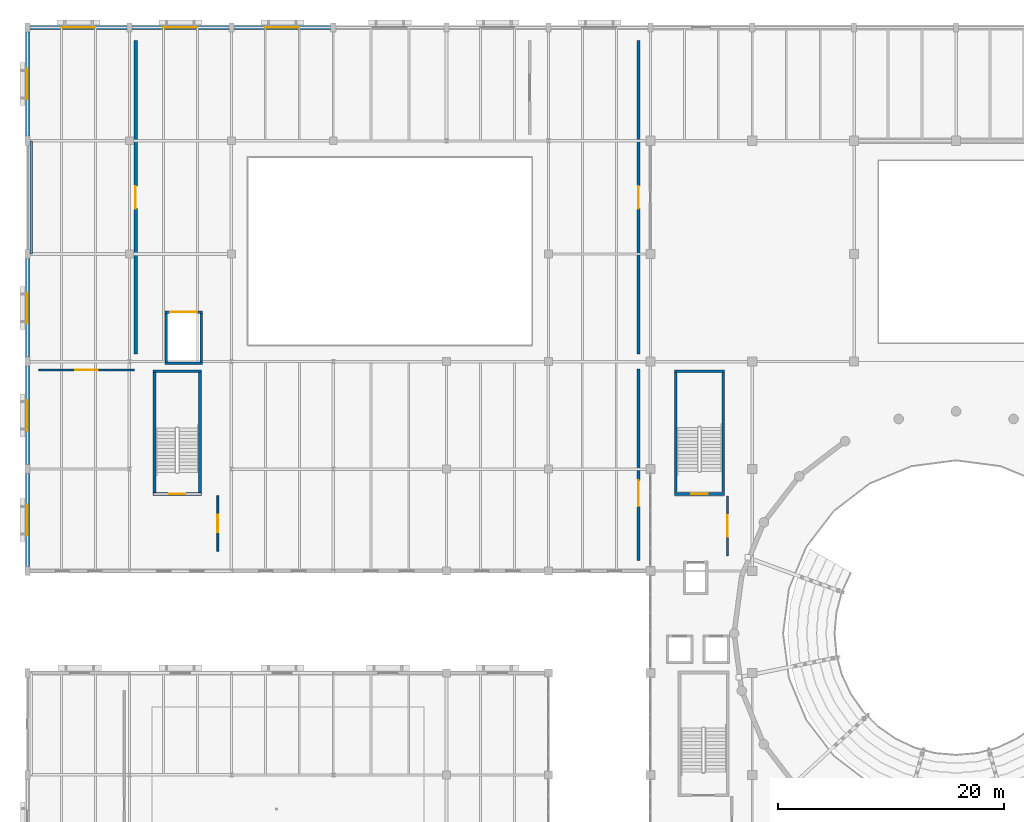
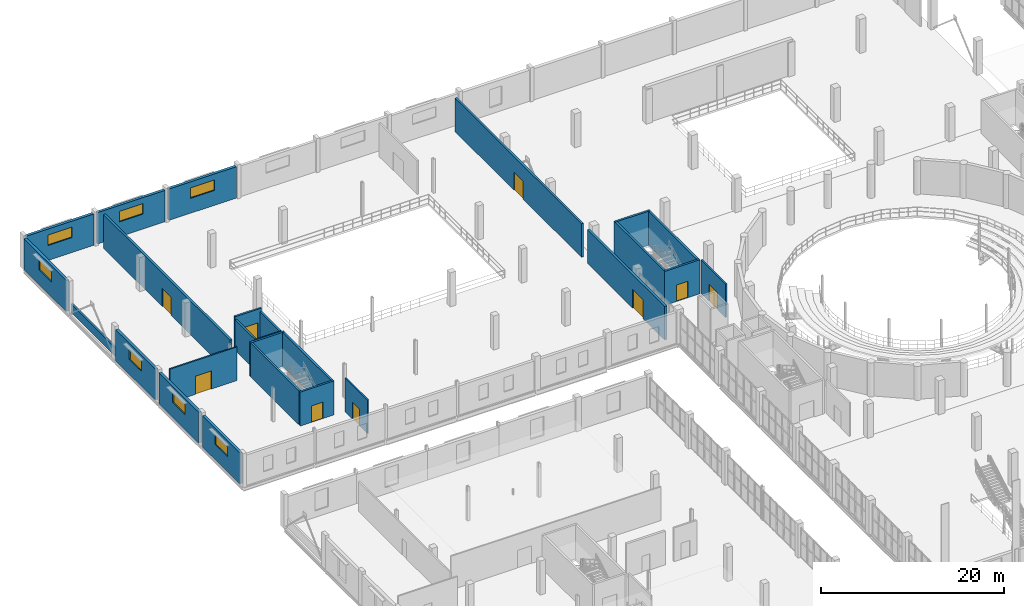
# One storey, part 73 of 93: 26 walls, 9 doors, 7 windows, 16 openings.
"""IFC4 building model written with IfcOpenShell, lengths in metres."""

import ifcopenshell
import ifcopenshell.guid

model = None  # the IFC model being written
_history = None  # IfcOwnerHistory: only IFC2X3 demands one
_inside = {}  # id of a spatial element -> (the spatial element, [elements in it])
_under = {}  # id of a project, library or spatial element -> (it, [spatial elements below it])
_declared = {}  # id of a project -> (the project, [libraries it declares])
_typed = {}  # id of a type object -> (the type object, [elements of that type])
_made_of = {}  # id of a material, layer set ... -> (it, [elements and type objects made of it])


def new_model(schema):
    """Start an empty IFC model of exactly this schema.

    Asked for "IFC4X3", IfcOpenShell would pick the latest addendum, in which some entities
    have other attributes; the version numbers below select the first issue.
    IFC2X3 requires an IfcOwnerHistory on every rooted entity: one is made here for all.
    """
    global model, _history
    if schema == "IFC4X3":
        model = ifcopenshell.file(schema_version=(4, 3, 0, 0))
    else:
        model = ifcopenshell.file(schema=schema)
    _inside.clear()
    _under.clear()
    _declared.clear()
    _typed.clear()
    _made_of.clear()
    _history = None
    if model.schema == "IFC2X3":
        org = make("IfcOrganization", Name="unknown")
        user = make(
            "IfcPersonAndOrganization",
            ThePerson=make("IfcPerson", FamilyName="unknown"),
            TheOrganization=org,
        )
        app = make(
            "IfcApplication",
            ApplicationDeveloper=org,
            Version="unknown",
            ApplicationFullName="unknown",
            ApplicationIdentifier="unknown",
        )
        _history = make(
            "IfcOwnerHistory",
            OwningUser=user,
            OwningApplication=app,
            ChangeAction="ADDED",
            CreationDate=0,
        )
    return model


def make(cls, **values):
    """One entity of the class cls with the attributes given. An attribute that is None is left unset."""
    return model.create_entity(
        cls, **{name: value for name, value in values.items() if value is not None}
    )


def rooted(cls, **values):
    """An entity with a GlobalId (a new one), such as an element, a storey or a relation."""
    return make(cls, GlobalId=ifcopenshell.guid.new(), OwnerHistory=_history, **values)


def si_unit(unit_type, name, prefix=None):
    """IfcSIUnit, for example si_unit("LENGTHUNIT", "METRE", prefix="MILLI")."""
    return make("IfcSIUnit", UnitType=unit_type, Prefix=prefix, Name=name)


def assignment(units):
    """IfcUnitAssignment: the units of a project."""
    return None if units is None else make("IfcUnitAssignment", Units=units)


def point(xyz):
    """IfcCartesianPoint."""
    return None if xyz is None else make("IfcCartesianPoint", Coordinates=xyz)


def direction(xyz):
    """IfcDirection."""
    return None if xyz is None else make("IfcDirection", DirectionRatios=xyz)


def frame(location, z_axis=None, x_axis=None):
    """IfcAxis2Placement3D, a coordinate frame: its origin and axes. An axis left out is left unset."""
    return make(
        "IfcAxis2Placement3D",
        Location=point(location),
        Axis=direction(z_axis),
        RefDirection=direction(x_axis),
    )


def frame_2d(location, x_axis=None):
    """IfcAxis2Placement2D, a coordinate frame in the plane: its origin and x axis."""
    return make(
        "IfcAxis2Placement2D", Location=point(location), RefDirection=direction(x_axis)
    )


def origin():
    """The frame at (0, 0, 0) with its axes left unset."""
    return frame((0.0, 0.0, 0.0))


def place(relative_to, where):
    """IfcLocalPlacement: puts the frame where relative to a parent placement (None: the world)."""
    return make(
        "IfcLocalPlacement", PlacementRelTo=relative_to, RelativePlacement=where
    )


def context(
    kind, dimensions, precision=None, world=None, true_north=None, identifier=None
):
    """IfcGeometricRepresentationContext, for example the 3D "Model" context."""
    return make(
        "IfcGeometricRepresentationContext",
        ContextIdentifier=identifier,
        ContextType=kind,
        CoordinateSpaceDimension=dimensions,
        Precision=precision,
        WorldCoordinateSystem=world,
        TrueNorth=true_north,
    )


def subcontext(parent, identifier, kind, view, scale=None):
    """IfcGeometricRepresentationSubContext, for example "Body" below "Model"."""
    return make(
        "IfcGeometricRepresentationSubContext",
        ContextIdentifier=identifier,
        ContextType=kind,
        ParentContext=parent,
        TargetScale=scale,
        TargetView=view,
    )


def project(units=None, contexts=None):
    """IfcProject with its units and contexts."""
    return rooted(
        "IfcProject",
        Name="project",
        RepresentationContexts=contexts,
        UnitsInContext=assignment(units),
    )


def spatial(cls, under=None, at=None, **own):
    """A site, building, storey or space (cls), placed at a placement, below another one or the project."""
    s = rooted(cls, ObjectPlacement=at, **own)
    if under is not None:
        _under.setdefault(under.id(), (under, []))[1].append(s)
    return s


def profile(cls, at=None, kind="AREA", **sizes):
    """A parametric profile (cls). Its sizes go by their IFC names, for example OverallWidth=200.0."""
    return make(cls, ProfileType=kind, Position=at, **sizes)


def rectangle(**sizes):
    """IfcRectangleProfileDef."""
    return profile("IfcRectangleProfileDef", **sizes)


def extrude(swept, where, along, depth):
    """IfcExtrudedAreaSolid: the profile swept, set in the frame where, extruded along a direction by depth."""
    return make(
        "IfcExtrudedAreaSolid",
        SweptArea=swept,
        Position=where,
        ExtrudedDirection=direction(along),
        Depth=depth,
    )


def shape(context_of_items, identifier, shape_type, items):
    """IfcShapeRepresentation: the items that make up one representation, for example the "Body"."""
    return make(
        "IfcShapeRepresentation",
        ContextOfItems=context_of_items,
        RepresentationIdentifier=identifier,
        RepresentationType=shape_type,
        Items=items,
    )


def material(Name=None, Category=None):
    """IfcMaterial."""
    return make("IfcMaterial", Name=Name, Category=Category)


def layer(
    of_material, thickness, ventilated=None, Name=None, Category=None, Priority=None
):
    """IfcMaterialLayer: one layer of a wall or slab, of a material (None: an air gap)."""
    return make(
        "IfcMaterialLayer",
        Material=of_material,
        LayerThickness=thickness,
        IsVentilated=ventilated,
        Name=Name,
        Category=Category,
        Priority=Priority,
    )


def layer_set(layers, Name=None):
    """IfcMaterialLayerSet."""
    return make("IfcMaterialLayerSet", MaterialLayers=layers, LayerSetName=Name)


def made_of(thing, what):
    """Note that an element or type object is made of a material, layer set ...; save() writes the relation."""
    if what is not None:
        _made_of.setdefault(what.id(), (what, []))[1].append(thing)
    return thing


def type_object(cls, material=None, **own):
    """A type object (cls), such as IfcWallType, which elements share."""
    return made_of(rooted(cls, **own), material)


def element(
    cls,
    number,
    at=None,
    inside=None,
    cuts=None,
    type_object=None,
    material=None,
    context=None,
    identifier="Body",
    shape_type=None,
    held_by="IfcProductDefinitionShape",
    body=None,
    shapes=None,
    **own,
):
    """One element of the class cls, such as IfcWall. Its Tag is "e" and its number.

    at: its placement. inside: the storey or other place that contains it. cuts: it is an
    opening in that element (IfcRelVoidsElement). A single representation is given by context,
    identifier, shape_type and body (its items); several are given by shapes. held_by: the class
    of the entity that holds the representations. save() writes the other relations.
    """
    e = rooted(cls, Tag="e%d" % number, ObjectPlacement=at, **own)
    if body is not None:
        shapes = [shape(context, identifier, shape_type, body)]
    if shapes is not None:
        e.Representation = make(held_by, Representations=shapes)
    if inside is not None:
        _inside.setdefault(inside.id(), (inside, []))[1].append(e)
    if cuts is not None:
        rooted(
            "IfcRelVoidsElement", RelatingBuildingElement=cuts, RelatedOpeningElement=e
        )
    if type_object is not None:
        _typed.setdefault(type_object.id(), (type_object, []))[1].append(e)
    return made_of(e, material)


def fill(opening, filler):
    """IfcRelFillsElement: the door or window that sits in an opening."""
    return rooted(
        "IfcRelFillsElement",
        RelatingOpeningElement=opening,
        RelatedBuildingElement=filler,
    )


def aggregate(whole, parts):
    """IfcRelAggregates: a whole, such as a stair, and the parts it consists of."""
    return rooted("IfcRelAggregates", RelatingObject=whole, RelatedObjects=parts)


def save(model, path):
    """Write the relations noted so far, then the file.

    IfcRelAggregates (storeys below a building ...), IfcRelContainedInSpatialStructure (elements
    in a storey), IfcRelDefinesByType, IfcRelAssociatesMaterial and IfcRelDeclares: one each for
    every whole, place, type object, material and project.
    """
    for whole, parts in _under.values():
        aggregate(whole, parts)
    for where, things in _inside.values():
        rooted(
            "IfcRelContainedInSpatialStructure",
            RelatedElements=things,
            RelatingStructure=where,
        )
    for kind, things in _typed.values():
        rooted("IfcRelDefinesByType", RelatedObjects=things, RelatingType=kind)
    for what, things in _made_of.values():
        rooted("IfcRelAssociatesMaterial", RelatedObjects=things, RelatingMaterial=what)
    for by, libraries in _declared.values():
        rooted("IfcRelDeclares", RelatingContext=by, RelatedDefinitions=libraries)
    model.write(path)


model = new_model("IFC4")

# Units and contexts
model_context = context("Model", 3, precision=1e-05, world=origin(), true_north=direction((0.0, 1.0)))
body_context = subcontext(model_context, "Body", "Model", "MODEL_VIEW")
ifc_project = project(units=[si_unit("LENGTHUNIT", "METRE"), si_unit("AREAUNIT", "SQUARE_METRE"), si_unit("VOLUMEUNIT", "CUBIC_METRE"), si_unit("PLANEANGLEUNIT", "RADIAN"), si_unit("MASSUNIT", "GRAM", prefix="KILO")], contexts=[model_context])

# Site, building, storey
site_placement = place(None, origin())
site = spatial("IfcSite", under=ifc_project, at=site_placement, CompositionType="ELEMENT")
building_placement = place(site_placement, origin())
building = spatial("IfcBuilding", under=site, at=building_placement, Name="Marnock Terrace Opera House", CompositionType="ELEMENT")
storey_placement = place(building_placement, frame((0.0, 0.0, 5.39990234375)))
storey = spatial("IfcBuildingStorey", under=building, at=storey_placement, Name="L01", CompositionType="ELEMENT", Elevation=5.39990234375)

# Wall
ifc_material_1 = material(Name="Pale hydraulic lime architectural render on masonry", Category="masonry")
ifc_layer_1 = layer(ifc_material_1, 0.22998046875)
ifc_layer_set_1 = layer_set([ifc_layer_1], Name="Pale hydraulic lime architectural render on masonry")
wall_type_1 = type_object("IfcWallType", Name="EW-PARA-230", PredefinedType="PARAPET", material=ifc_layer_set_1)
wall_1_placement = place(storey_placement, frame((0.320068359375, 94.0, 0.0), z_axis=(0.0, 0.0, 1.0), x_axis=(0.0, 1.0, 0.0)))
element("IfcWall", 1, at=wall_1_placement, inside=storey, type_object=wall_type_1, Name="L01 braced-bay interior spandrel guard upstand UPST-BRACE-V4W-L01", PredefinedType="PARAPET", context=body_context, shape_type="SweptSolid", body=[
    extrude(rectangle(XDim=10.0, YDim=0.22998046875, at=frame_2d((5.0, 0.0))), origin(), (0.0, 0.0, 1.0), 1.150146484375),
])

# Wall, opening, window
ifc_material_2 = material(Name="Carey Gully rusticated stone masonry", Category="masonry")
ifc_layer_2 = layer(ifc_material_2, 0.340087890625)
ifc_layer_set_2 = layer_set([ifc_layer_2], Name="Carey Gully rusticated stone masonry")
wall_type_2 = type_object("IfcWallType", Name="EW-WORK-340", PredefinedType="SOLIDWALL", material=ifc_layer_set_2)
wall_2_placement = place(storey_placement, frame((0.0, 66.39599609375, 0.0), z_axis=(0.0, 0.0, 1.0), x_axis=(0.0, 1.0, 0.0)))
wall_2 = element("IfcWall", 2, at=wall_2_placement, inside=storey, type_object=wall_type_2, Name="L01 Workshops west stone wall 1", PredefinedType="SOLIDWALL", context=body_context, shape_type="SweptSolid", body=[
    extrude(rectangle(XDim=8.2080078125, YDim=0.340087890625, at=frame_2d((4.10400390625, 0.0))), origin(), (0.0, 0.0, 1.0), 4.151611328125),
])
opening_1_placement = place(wall_2_placement, frame((2.75390625, 0.0, 2.0)))
opening_1 = element("IfcOpeningElement", 3, at=opening_1_placement, cuts=wall_2, Name="Opening WT-89", PredefinedType="OPENING", context=body_context, shape_type="SweptSolid", body=[
    extrude(rectangle(XDim=2.699951171875, YDim=1.300048828125, at=frame_2d((1.35009765625, 0.64990234375))), frame((0.0, 0.179931640625, 0.0), z_axis=(0.0, -1.0, 0.0), x_axis=(1.0, 0.0, 0.0)), (0.0, 0.0, 1.0), 0.360107421875),
])
ifc_material_3 = material(Name="Double-glazed acoustic low-E laminated glass", Category="glass")
window_type_1 = type_object("IfcWindowType", Name="WT-CLERESTORY-2700", PartitioningType="DOUBLE_PANEL_VERTICAL", PredefinedType="WINDOW", material=ifc_material_3)
window_1_placement = place(opening_1_placement, origin())
window_1 = element("IfcWindow", 4, at=window_1_placement, inside=storey, type_object=window_type_1, Name="L01 facade window EW-V4W-L01-1.1", OverallHeight=1.300048828125, OverallWidth=2.699951171875, PartitioningType="SINGLE_PANEL", PredefinedType="WINDOW", context=body_context, shape_type="SweptSolid", body=[
    extrude(rectangle(XDim=2.699951171875, YDim=1.300048828125, at=frame_2d((1.35009765625, 0.64990234375))), frame((0.0, 0.030029296875, 0.0), z_axis=(0.0, -1.0, 0.0), x_axis=(1.0, 0.0, 0.0)), (0.0, 0.0, 1.0), 0.06005859375),
])
fill(opening_1, window_1)

wall_3_placement = place(storey_placement, frame((0.0, 75.39599609375, 0.0), z_axis=(0.0, 0.0, 1.0), x_axis=(0.0, 1.0, 0.0)))
wall_3 = element("IfcWall", 5, at=wall_3_placement, inside=storey, type_object=wall_type_2, Name="L01 Workshops west stone wall 2", PredefinedType="SOLIDWALL", context=body_context, shape_type="SweptSolid", body=[
    extrude(rectangle(XDim=8.7080078125, YDim=0.340087890625, at=frame_2d((4.35400390625, 0.0))), origin(), (0.0, 0.0, 1.0), 4.151611328125),
])
opening_2_placement = place(wall_3_placement, frame((3.00390625, 0.0, 2.0)))
opening_2 = element("IfcOpeningElement", 6, at=opening_2_placement, cuts=wall_3, Name="Opening WT-89", PredefinedType="OPENING", context=body_context, shape_type="SweptSolid", body=[
    extrude(rectangle(XDim=2.699951171875, YDim=1.300048828125, at=frame_2d((1.35009765625, 0.64990234375))), frame((0.0, 0.179931640625, 0.0), z_axis=(0.0, -1.0, 0.0), x_axis=(1.0, 0.0, 0.0)), (0.0, 0.0, 1.0), 0.360107421875),
])
window_2_placement = place(opening_2_placement, origin())
window_2 = element("IfcWindow", 7, at=window_2_placement, inside=storey, type_object=window_type_1, Name="L01 facade window EW-V4W-L01-2.1", OverallHeight=1.300048828125, OverallWidth=2.699951171875, PartitioningType="SINGLE_PANEL", PredefinedType="WINDOW", context=body_context, shape_type="SweptSolid", body=[
    extrude(rectangle(XDim=2.699951171875, YDim=1.300048828125, at=frame_2d((1.35009765625, 0.64990234375))), frame((0.0, 0.030029296875, 0.0), z_axis=(0.0, -1.0, 0.0), x_axis=(1.0, 0.0, 0.0)), (0.0, 0.0, 1.0), 0.06005859375),
])
fill(opening_2, window_2)

wall_4_placement = place(storey_placement, frame((0.0, 84.89599609375, 0.0), z_axis=(0.0, 0.0, 1.0), x_axis=(0.0, 1.0, 0.0)))
wall_4 = element("IfcWall", 8, at=wall_4_placement, inside=storey, type_object=wall_type_2, Name="L01 Workshops west stone wall 3", PredefinedType="SOLIDWALL", context=body_context, shape_type="SweptSolid", body=[
    extrude(rectangle(XDim=8.7080078125, YDim=0.340087890625, at=frame_2d((4.35400390625, 0.0))), origin(), (0.0, 0.0, 1.0), 4.151611328125),
])
opening_3_placement = place(wall_4_placement, frame((3.00390625, 0.0, 2.0)))
opening_3 = element("IfcOpeningElement", 9, at=opening_3_placement, cuts=wall_4, Name="Opening WT-89", PredefinedType="OPENING", context=body_context, shape_type="SweptSolid", body=[
    extrude(rectangle(XDim=2.699951171875, YDim=1.300048828125, at=frame_2d((1.35009765625, 0.64990234375))), frame((0.0, 0.179931640625, 0.0), z_axis=(0.0, -1.0, 0.0), x_axis=(1.0, 0.0, 0.0)), (0.0, 0.0, 1.0), 0.360107421875),
])
window_3_placement = place(opening_3_placement, origin())
window_3 = element("IfcWindow", 10, at=window_3_placement, inside=storey, type_object=window_type_1, Name="L01 facade window EW-V4W-L01-3.1", OverallHeight=1.300048828125, OverallWidth=2.699951171875, PartitioningType="SINGLE_PANEL", PredefinedType="WINDOW", context=body_context, shape_type="SweptSolid", body=[
    extrude(rectangle(XDim=2.699951171875, YDim=1.300048828125, at=frame_2d((1.35009765625, 0.64990234375))), frame((0.0, 0.030029296875, 0.0), z_axis=(0.0, -1.0, 0.0), x_axis=(1.0, 0.0, 0.0)), (0.0, 0.0, 1.0), 0.06005859375),
])
fill(opening_3, window_3)

wall_5_placement = place(storey_placement, frame((0.0, 104.39599609375, 0.0), z_axis=(0.0, 0.0, 1.0), x_axis=(0.0, 1.0, 0.0)))
wall_5 = element("IfcWall", 11, at=wall_5_placement, inside=storey, type_object=wall_type_2, Name="L01 Workshops west stone wall 5", PredefinedType="SOLIDWALL", context=body_context, shape_type="SweptSolid", body=[
    extrude(rectangle(XDim=9.2080078125, YDim=0.340087890625, at=frame_2d((4.60400390625, 0.0))), origin(), (0.0, 0.0, 1.0), 4.151611328125),
])
opening_4_placement = place(wall_5_placement, frame((3.25390625, 0.0, 2.0)))
opening_4 = element("IfcOpeningElement", 12, at=opening_4_placement, cuts=wall_5, Name="Opening WT-89", PredefinedType="OPENING", context=body_context, shape_type="SweptSolid", body=[
    extrude(rectangle(XDim=2.699951171875, YDim=1.300048828125, at=frame_2d((1.35009765625, 0.64990234375))), frame((0.0, 0.179931640625, 0.0), z_axis=(0.0, -1.0, 0.0), x_axis=(1.0, 0.0, 0.0)), (0.0, 0.0, 1.0), 0.360107421875),
])
window_4_placement = place(opening_4_placement, origin())
window_4 = element("IfcWindow", 13, at=window_4_placement, inside=storey, type_object=window_type_1, Name="L01 facade window EW-V4W-L01-5.1", OverallHeight=1.300048828125, OverallWidth=2.699951171875, PartitioningType="SINGLE_PANEL", PredefinedType="WINDOW", context=body_context, shape_type="SweptSolid", body=[
    extrude(rectangle(XDim=2.699951171875, YDim=1.300048828125, at=frame_2d((1.35009765625, 0.64990234375))), frame((0.0, 0.030029296875, 0.0), z_axis=(0.0, -1.0, 0.0), x_axis=(1.0, 0.0, 0.0)), (0.0, 0.0, 1.0), 0.06005859375),
])
fill(opening_4, window_4)

wall_6_placement = place(storey_placement, frame((0.220947265625, 114.0, 0.0), z_axis=(0.0, 0.0, 1.0), x_axis=(1.0, 0.0, 0.0)))
wall_6 = element("IfcWall", 14, at=wall_6_placement, inside=storey, type_object=wall_type_2, Name="L01 Workshops north facade wall 1", PredefinedType="SOLIDWALL", context=body_context, shape_type="SweptSolid", body=[
    extrude(rectangle(XDim=8.55810546875, YDim=0.340087890625, at=frame_2d((4.279052734375, 0.0))), origin(), (0.0, 0.0, 1.0), 4.19140625),
])
opening_5_placement = place(wall_6_placement, frame((2.779052734375, 0.0, 2.0)))
opening_5 = element("IfcOpeningElement", 15, at=opening_5_placement, cuts=wall_6, Name="Opening WT-79", PredefinedType="OPENING", context=body_context, shape_type="SweptSolid", body=[
    extrude(rectangle(XDim=3.0, YDim=1.39990234375, at=frame_2d((1.5, 0.699951171875))), frame((0.0, 0.179931640625, 0.0), z_axis=(0.0, -1.0, 0.0), x_axis=(1.0, 0.0, 0.0)), (0.0, 0.0, 1.0), 0.360107421875),
])
window_type_2 = type_object("IfcWindowType", Name="WT-CLERESTORY-3000", PartitioningType="TRIPLE_PANEL_VERTICAL", PredefinedType="WINDOW", material=ifc_material_3)
window_5_placement = place(opening_5_placement, origin())
window_5 = element("IfcWindow", 16, at=window_5_placement, inside=storey, type_object=window_type_2, Name="L01 facade window EW-V4N-L01-1.1", OverallHeight=1.39990234375, OverallWidth=3.0, PartitioningType="SINGLE_PANEL", PredefinedType="WINDOW", context=body_context, shape_type="SweptSolid", body=[
    extrude(rectangle(XDim=3.0, YDim=1.39990234375, at=frame_2d((1.5, 0.699951171875))), frame((0.0, 0.030029296875, 0.0), z_axis=(0.0, -1.0, 0.0), x_axis=(1.0, 0.0, 0.0)), (0.0, 0.0, 1.0), 0.06005859375),
])
fill(opening_5, window_5)

wall_7_placement = place(storey_placement, frame((9.220947265625, 114.0, 0.0), z_axis=(0.0, 0.0, 1.0), x_axis=(1.0, 0.0, 0.0)))
wall_7 = element("IfcWall", 17, at=wall_7_placement, inside=storey, type_object=wall_type_2, Name="L01 Workshops north facade wall 2", PredefinedType="SOLIDWALL", context=body_context, shape_type="SweptSolid", body=[
    extrude(rectangle(XDim=8.55810546875, YDim=0.340087890625, at=frame_2d((4.279052734375, 0.0))), origin(), (0.0, 0.0, 1.0), 4.19140625),
])
opening_6_placement = place(wall_7_placement, frame((2.779052734375, 0.0, 2.0)))
opening_6 = element("IfcOpeningElement", 18, at=opening_6_placement, cuts=wall_7, Name="Opening WT-79", PredefinedType="OPENING", context=body_context, shape_type="SweptSolid", body=[
    extrude(rectangle(XDim=3.0, YDim=1.39990234375, at=frame_2d((1.5, 0.699951171875))), frame((0.0, 0.179931640625, 0.0), z_axis=(0.0, -1.0, 0.0), x_axis=(1.0, 0.0, 0.0)), (0.0, 0.0, 1.0), 0.360107421875),
])
window_6_placement = place(opening_6_placement, origin())
window_6 = element("IfcWindow", 19, at=window_6_placement, inside=storey, type_object=window_type_2, Name="L01 facade window EW-V4N-L01-2.1", OverallHeight=1.39990234375, OverallWidth=3.0, PartitioningType="SINGLE_PANEL", PredefinedType="WINDOW", context=body_context, shape_type="SweptSolid", body=[
    extrude(rectangle(XDim=3.0, YDim=1.39990234375, at=frame_2d((1.5, 0.699951171875))), frame((0.0, 0.030029296875, 0.0), z_axis=(0.0, -1.0, 0.0), x_axis=(1.0, 0.0, 0.0)), (0.0, 0.0, 1.0), 0.06005859375),
])
fill(opening_6, window_6)

wall_8_placement = place(storey_placement, frame((18.220947265625, 114.0, 0.0), z_axis=(0.0, 0.0, 1.0), x_axis=(1.0, 0.0, 0.0)))
wall_8 = element("IfcWall", 20, at=wall_8_placement, inside=storey, type_object=wall_type_2, Name="L01 Workshops north facade wall 3", PredefinedType="SOLIDWALL", context=body_context, shape_type="SweptSolid", body=[
    extrude(rectangle(XDim=8.55810546875, YDim=0.340087890625, at=frame_2d((4.279052734375, 0.0))), origin(), (0.0, 0.0, 1.0), 4.19140625),
])
opening_7_placement = place(wall_8_placement, frame((2.779052734375, 0.0, 2.0)))
opening_7 = element("IfcOpeningElement", 21, at=opening_7_placement, cuts=wall_8, Name="Opening WT-79", PredefinedType="OPENING", context=body_context, shape_type="SweptSolid", body=[
    extrude(rectangle(XDim=3.0, YDim=1.39990234375, at=frame_2d((1.5, 0.699951171875))), frame((0.0, 0.179931640625, 0.0), z_axis=(0.0, -1.0, 0.0), x_axis=(1.0, 0.0, 0.0)), (0.0, 0.0, 1.0), 0.360107421875),
])
window_7_placement = place(opening_7_placement, origin())
window_7 = element("IfcWindow", 22, at=window_7_placement, inside=storey, type_object=window_type_2, Name="L01 facade window EW-V4N-L01-3.1", OverallHeight=1.39990234375, OverallWidth=3.0, PartitioningType="SINGLE_PANEL", PredefinedType="WINDOW", context=body_context, shape_type="SweptSolid", body=[
    extrude(rectangle(XDim=3.0, YDim=1.39990234375, at=frame_2d((1.5, 0.699951171875))), frame((0.0, 0.030029296875, 0.0), z_axis=(0.0, -1.0, 0.0), x_axis=(1.0, 0.0, 0.0)), (0.0, 0.0, 1.0), 0.06005859375),
])
fill(opening_7, window_7)

# Wall, opening, door
ifc_material_4 = material(Name="Double-stud acoustic plasterboard with mineral-wool infill")
ifc_layer_3 = layer(ifc_material_4, 0.2548828125)
ifc_layer_set_3 = layer_set([ifc_layer_3], Name="Double-stud acoustic plasterboard with mineral-wool infill")
wall_type_3 = type_object("IfcWallType", Name="IW-ACOUSTIC-255", PredefinedType="PARTITIONING", material=ifc_layer_set_3)
wall_9_placement = place(storey_placement, frame((53.949951171875, 85.14990234375, 0.0), z_axis=(0.0, 0.0, 1.0), x_axis=(0.0, 1.0, 0.0)))
wall_9 = element("IfcWall", 23, at=wall_9_placement, inside=storey, type_object=wall_type_3, Name="L01 Wig and Wardrobe Room acoustic partition wall", PredefinedType="PARTITIONING", context=body_context, shape_type="SweptSolid", body=[
    extrude(rectangle(XDim=27.7001953125, YDim=0.2548828125, at=frame_2d((13.85009765625, 0.0))), origin(), (0.0, 0.0, 1.0), 4.489990234375),
])
opening_8_placement = place(wall_9_placement, frame((12.860107421875, 0.0, 0.0)))
opening_8 = element("IfcOpeningElement", 24, at=opening_8_placement, cuts=wall_9, Name="Opening D-L01-18", PredefinedType="OPENING", context=body_context, shape_type="SweptSolid", body=[
    extrude(rectangle(XDim=1.97998046875, YDim=2.419921875, at=frame_2d((0.989990234375, 1.2099609375))), frame((0.0, 0.137451171875, 0.0), z_axis=(0.0, -1.0, 0.0), x_axis=(1.0, 0.0, 0.0)), (0.0, 0.0, 1.0), 0.27490234375),
])
ifc_material_5 = material(Name="Fire-rated acoustic timber-core door assembly", Category="wood")
door_type_1 = type_object("IfcDoorType", Name="DT-WORK-1980", OperationType="NOTDEFINED", PredefinedType="DOOR", material=ifc_material_5)
door_1_placement = place(opening_8_placement, origin())
door_1 = element("IfcDoor", 25, at=door_1_placement, inside=storey, type_object=door_type_1, Name="L01 Wig and Wardrobe Room entrance door", OperationType="DOUBLE_DOOR_SINGLE_SWING", OverallHeight=2.419921875, OverallWidth=1.97998046875, PredefinedType="DOOR", context=body_context, shape_type="SweptSolid", body=[
    extrude(rectangle(XDim=1.97998046875, YDim=2.419921875, at=frame_2d((0.989990234375, 1.2099609375))), frame((0.0, 0.02490234375, 0.0), z_axis=(0.0, -1.0, 0.0), x_axis=(1.0, 0.0, 0.0)), (0.0, 0.0, 1.0), 0.050048828125),
])
fill(opening_8, door_1)

ifc_layer_4 = layer(ifc_material_4, 0.280029296875)
ifc_layer_set_4 = layer_set([ifc_layer_4], Name="Double-stud acoustic plasterboard with mineral-wool infill")
wall_type_4 = type_object("IfcWallType", Name="IW-ACOUSTIC-280", PredefinedType="PARTITIONING", material=ifc_layer_set_4)
wall_10_placement = place(storey_placement, frame((9.550048828125, 85.14990234375, 0.0), z_axis=(0.0, 0.0, 1.0), x_axis=(0.0, 1.0, 0.0)))
wall_10 = element("IfcWall", 26, at=wall_10_placement, inside=storey, type_object=wall_type_4, Name="L01 Dyeing and Millinery Studio acoustic partition wall", PredefinedType="PARTITIONING", context=body_context, shape_type="SweptSolid", body=[
    extrude(rectangle(XDim=27.7001953125, YDim=0.280029296875, at=frame_2d((13.85009765625, 0.0))), origin(), (0.0, 0.0, 1.0), 4.489990234375),
])
opening_9_placement = place(wall_10_placement, frame((12.860107421875, 0.0, 0.0)))
opening_9 = element("IfcOpeningElement", 27, at=opening_9_placement, cuts=wall_10, Name="Opening D-L01-17", PredefinedType="OPENING", context=body_context, shape_type="SweptSolid", body=[
    extrude(rectangle(XDim=1.97998046875, YDim=2.419921875, at=frame_2d((0.989990234375, 1.2099609375))), frame((0.0, 0.14990234375, 0.0), z_axis=(0.0, -1.0, 0.0), x_axis=(1.0, 0.0, 0.0)), (0.0, 0.0, 1.0), 0.300048828125),
])
door_2_placement = place(opening_9_placement, origin())
door_2 = element("IfcDoor", 28, at=door_2_placement, inside=storey, type_object=door_type_1, Name="L01 Dyeing and Millinery Studio entrance door", OperationType="DOUBLE_DOOR_SINGLE_SWING", OverallHeight=2.419921875, OverallWidth=1.97998046875, PredefinedType="DOOR", context=body_context, shape_type="SweptSolid", body=[
    extrude(rectangle(XDim=1.97998046875, YDim=2.419921875, at=frame_2d((0.989990234375, 1.2099609375))), frame((0.0, 0.02490234375, 0.0), z_axis=(0.0, -1.0, 0.0), x_axis=(1.0, 0.0, 0.0)), (0.0, 0.0, 1.0), 0.050048828125),
])
fill(opening_9, door_2)

ifc_layer_5 = layer(ifc_material_4, 0.294921875)
ifc_layer_set_5 = layer_set([ifc_layer_5], Name="Double-stud acoustic plasterboard with mineral-wool infill")
wall_type_5 = type_object("IfcWallType", Name="IW-ACOUSTIC-295", PredefinedType="PARTITIONING", material=ifc_layer_set_5)
wall_11_placement = place(storey_placement, frame((53.949951171875, 66.949951171875, 0.0), z_axis=(0.0, 0.0, 1.0), x_axis=(0.0, 1.0, 0.0)))
wall_11 = element("IfcWall", 29, at=wall_11_placement, inside=storey, type_object=wall_type_5, Name="L01 Costume Workshop acoustic partition wall", PredefinedType="PARTITIONING", context=body_context, shape_type="SweptSolid", body=[
    extrude(rectangle(XDim=16.900146484375, YDim=0.294921875, at=frame_2d((8.4501953125, 0.0))), origin(), (0.0, 0.0, 1.0), 4.489990234375),
])
opening_10_placement = place(wall_11_placement, frame((4.764892578125, 0.0, 0.0)))
opening_10 = element("IfcOpeningElement", 30, at=opening_10_placement, cuts=wall_11, Name="Opening D-L01-16", PredefinedType="OPENING", context=body_context, shape_type="SweptSolid", body=[
    extrude(rectangle(XDim=2.300048828125, YDim=2.52001953125, at=frame_2d((1.14990234375, 1.260009765625))), frame((0.0, 0.157470703125, 0.0), z_axis=(0.0, -1.0, 0.0), x_axis=(1.0, 0.0, 0.0)), (0.0, 0.0, 1.0), 0.31494140625),
])
door_type_2 = type_object("IfcDoorType", Name="DT-WORK-2300", OperationType="NOTDEFINED", PredefinedType="DOOR", material=ifc_material_5)
door_3_placement = place(opening_10_placement, origin())
door_3 = element("IfcDoor", 31, at=door_3_placement, inside=storey, type_object=door_type_2, Name="L01 Costume Workshop entrance door", OperationType="DOUBLE_DOOR_SINGLE_SWING", OverallHeight=2.52001953125, OverallWidth=2.300048828125, PredefinedType="DOOR", context=body_context, shape_type="SweptSolid", body=[
    extrude(rectangle(XDim=2.300048828125, YDim=2.52001953125, at=frame_2d((1.14990234375, 1.260009765625))), frame((0.0, 0.02490234375, 0.0), z_axis=(0.0, -1.0, 0.0), x_axis=(1.0, 0.0, 0.0)), (0.0, 0.0, 1.0), 0.050048828125),
])
fill(opening_10, door_3)

ifc_material_6 = material(Name="Rendered acoustic concrete blockwork", Category="masonry")
ifc_layer_6 = layer(ifc_material_6, 0.175048828125)
ifc_layer_set_6 = layer_set([ifc_layer_6], Name="Rendered acoustic concrete blockwork")
wall_type_6 = type_object("IfcWallType", Name="IW-FIRE-175", PredefinedType="PARTITIONING", material=ifc_layer_set_6)
wall_12_placement = place(storey_placement, frame((16.800048828125, 67.75, 0.0), z_axis=(0.0, 0.0, 1.0), x_axis=(0.0, 1.0, 0.0)))
wall_12 = element("IfcWall", 32, at=wall_12_placement, inside=storey, type_object=wall_type_6, Name="L01 C7 fire-rated lift and stair lobby wall", PredefinedType="PARTITIONING", context=body_context, shape_type="SweptSolid", body=[
    extrude(rectangle(XDim=4.89990234375, YDim=0.175048828125, at=frame_2d((2.449951171875, 0.0))), origin(), (0.0, 0.0, 1.0), 4.489990234375),
])
opening_11_placement = place(wall_12_placement, frame((1.675048828125, 0.0, 0.0)))
opening_11 = element("IfcOpeningElement", 33, at=opening_11_placement, cuts=wall_12, Name="Opening FD-C7-L01", PredefinedType="OPENING", context=body_context, shape_type="SweptSolid", body=[
    extrude(rectangle(XDim=1.550048828125, YDim=2.219970703125, at=frame_2d((0.77490234375, 1.10986328125))), frame((0.0, 0.097412109375, 0.0), z_axis=(0.0, -1.0, 0.0), x_axis=(1.0, 0.0, 0.0)), (0.0, 0.0, 1.0), 0.195068359375),
])
door_type_3 = type_object("IfcDoorType", Name="DT-LOBBY-1550", OperationType="NOTDEFINED", PredefinedType="DOOR", material=ifc_material_5)
door_4_placement = place(opening_11_placement, origin())
door_4 = element("IfcDoor", 34, at=door_4_placement, inside=storey, type_object=door_type_3, Name="L01 C7 lobby self-closing smoke door", OperationType="SINGLE_SWING_RIGHT", OverallHeight=2.219970703125, OverallWidth=1.550048828125, PredefinedType="DOOR", context=body_context, shape_type="SweptSolid", body=[
    extrude(rectangle(XDim=1.550048828125, YDim=2.219970703125, at=frame_2d((0.77490234375, 1.10986328125))), frame((0.0, 0.02490234375, 0.0), z_axis=(0.0, -1.0, 0.0), x_axis=(1.0, 0.0, 0.0)), (0.0, 0.0, 1.0), 0.050048828125),
])
fill(opening_11, door_4)

ifc_layer_7 = layer(ifc_material_6, 0.18505859375)
ifc_layer_set_7 = layer_set([ifc_layer_7], Name="Rendered acoustic concrete blockwork")
wall_type_7 = type_object("IfcWallType", Name="IW-FIRE-185", PredefinedType="PARTITIONING", material=ifc_layer_set_7)
wall_13_placement = place(storey_placement, frame((0.949951171875, 83.75, 0.0), z_axis=(0.0, 0.0, 1.0), x_axis=(1.0, 0.0, 0.0)))
wall_13 = element("IfcWall", 35, at=wall_13_placement, inside=storey, type_object=wall_type_7, Name="L01 Paint Frame Workshop acoustic partition wall", PredefinedType="PARTITIONING", context=body_context, shape_type="SweptSolid", body=[
    extrude(rectangle(XDim=8.5, YDim=0.18505859375, at=frame_2d((4.25, 0.0))), origin(), (0.0, 0.0, 1.0), 4.489990234375),
])
opening_12_placement = place(wall_13_placement, frame((3.260009765625, 0.0, 0.0)))
opening_12 = element("IfcOpeningElement", 36, at=opening_12_placement, cuts=wall_13, Name="Opening D-L01-15", PredefinedType="OPENING", context=body_context, shape_type="SweptSolid", body=[
    extrude(rectangle(XDim=1.97998046875, YDim=2.419921875, at=frame_2d((0.989990234375, 1.2099609375))), frame((0.0, 0.1025390625, 0.0), z_axis=(0.0, -1.0, 0.0), x_axis=(1.0, 0.0, 0.0)), (0.0, 0.0, 1.0), 0.205078125),
])
door_5_placement = place(opening_12_placement, origin())
door_5 = element("IfcDoor", 37, at=door_5_placement, inside=storey, type_object=door_type_1, Name="L01 Paint Frame Workshop entrance door", OperationType="DOUBLE_DOOR_SINGLE_SWING", OverallHeight=2.419921875, OverallWidth=1.97998046875, PredefinedType="DOOR", context=body_context, shape_type="SweptSolid", body=[
    extrude(rectangle(XDim=1.97998046875, YDim=2.419921875, at=frame_2d((0.989990234375, 1.2099609375))), frame((0.0, 0.02490234375, 0.0), z_axis=(0.0, -1.0, 0.0), x_axis=(1.0, 0.0, 0.0)), (0.0, 0.0, 1.0), 0.050048828125),
])
fill(opening_12, door_5)

ifc_layer_8 = layer(ifc_material_6, 0.195068359375)
ifc_layer_set_8 = layer_set([ifc_layer_8], Name="Rendered acoustic concrete blockwork")
wall_type_8 = type_object("IfcWallType", Name="IW-FIRE-195", PredefinedType="PARTITIONING", material=ifc_layer_set_8)
wall_14_placement = place(storey_placement, frame((61.800048828125, 67.35009765625, 0.0), z_axis=(0.0, 0.0, 1.0), x_axis=(0.0, 1.0, 0.0)))
wall_14 = element("IfcWall", 38, at=wall_14_placement, inside=storey, type_object=wall_type_8, Name="L01 C3 fire-rated lift and stair lobby wall", PredefinedType="PARTITIONING", context=body_context, shape_type="SweptSolid", body=[
    extrude(rectangle(XDim=5.2998046875, YDim=0.195068359375, at=frame_2d((2.64990234375, 0.0))), origin(), (0.0, 0.0, 1.0), 4.489990234375),
])
opening_13_placement = place(wall_14_placement, frame((1.699951171875, 0.0, 0.0)))
opening_13 = element("IfcOpeningElement", 39, at=opening_13_placement, cuts=wall_14, Name="Opening FD-C3-L01", PredefinedType="OPENING", context=body_context, shape_type="SweptSolid", body=[
    extrude(rectangle(XDim=1.89990234375, YDim=2.300048828125, at=frame_2d((0.949951171875, 1.14990234375))), frame((0.0, 0.107421875, 0.0), z_axis=(0.0, -1.0, 0.0), x_axis=(1.0, 0.0, 0.0)), (0.0, 0.0, 1.0), 0.215087890625),
])
door_type_4 = type_object("IfcDoorType", Name="DT-LOBBY-1900", OperationType="NOTDEFINED", PredefinedType="DOOR", material=ifc_material_5)
door_6_placement = place(opening_13_placement, origin())
door_6 = element("IfcDoor", 40, at=door_6_placement, inside=storey, type_object=door_type_4, Name="L01 C3 lobby self-closing smoke door", OperationType="SINGLE_SWING_RIGHT", OverallHeight=2.300048828125, OverallWidth=1.89990234375, PredefinedType="DOOR", context=body_context, shape_type="SweptSolid", body=[
    extrude(rectangle(XDim=1.89990234375, YDim=2.300048828125, at=frame_2d((0.949951171875, 1.14990234375))), frame((0.0, 0.02490234375, 0.0), z_axis=(0.0, -1.0, 0.0), x_axis=(1.0, 0.0, 0.0)), (0.0, 0.0, 1.0), 0.050048828125),
])
fill(opening_13, door_6)

ifc_layer_9 = layer(ifc_material_6, 0.22509765625)
ifc_layer_set_9 = layer_set([ifc_layer_9], Name="Rendered acoustic concrete blockwork")
wall_type_9 = type_object("IfcWallType", Name="IW-SHAFT-225", PredefinedType="SOLIDWALL", material=ifc_layer_set_9)
wall_15_placement = place(storey_placement, frame((12.12744140625, 88.860107421875, 0.0), z_axis=(0.0, 0.0, 1.0), x_axis=(1.0, 0.0, 0.0)))
wall_15 = element("IfcWall", 41, at=wall_15_placement, inside=storey, type_object=wall_type_9, Name="L01 Lift GL-01 front shaft wall", PredefinedType="SOLIDWALL", context=body_context, shape_type="SweptSolid", body=[
    extrude(rectangle(XDim=3.344970703125, YDim=0.22509765625, at=frame_2d((1.67236328125, 0.0))), origin(), (0.0, 0.0, 1.0), 4.489990234375),
])
opening_14_placement = place(wall_15_placement, frame((0.472412109375, 0.0, 0.0)))
opening_14 = element("IfcOpeningElement", 42, at=opening_14_placement, cuts=wall_15, Name="Opening LD-GL-01-L01", PredefinedType="OPENING", context=body_context, shape_type="SweptSolid", body=[
    extrude(rectangle(XDim=2.39990234375, YDim=2.64990234375, at=frame_2d((1.199951171875, 1.324951171875))), frame((0.0, 0.12255859375, 0.0), z_axis=(0.0, -1.0, 0.0), x_axis=(1.0, 0.0, 0.0)), (0.0, 0.0, 1.0), 0.2451171875),
])
ifc_material_7 = material(Name="Brushed stainless steel landing door assembly", Category="steel")
door_type_5 = type_object("IfcDoorType", Name="DT-LIFT-2400", OperationType="NOTDEFINED", PredefinedType="DOOR", material=ifc_material_7)
door_7_placement = place(opening_14_placement, origin())
door_7 = element("IfcDoor", 43, at=door_7_placement, inside=storey, type_object=door_type_5, Name="L01 Lift GL-01 sliding landing door", OperationType="DOUBLE_DOOR_SLIDING", OverallHeight=2.64990234375, OverallWidth=2.39990234375, PredefinedType="DOOR", context=body_context, shape_type="SweptSolid", body=[
    extrude(rectangle(XDim=2.39990234375, YDim=2.64990234375, at=frame_2d((1.199951171875, 1.324951171875))), frame((0.0, 0.02490234375, 0.0), z_axis=(0.0, -1.0, 0.0), x_axis=(1.0, 0.0, 0.0)), (0.0, 0.0, 1.0), 0.050048828125),
])
fill(opening_14, door_7)

# Walls
wall_16_placement = place(storey_placement, frame((12.12744140625, 84.340087890625, 0.0), z_axis=(0.0, 0.0, 1.0), x_axis=(1.0, 0.0, 0.0)))
element("IfcWall", 44, at=wall_16_placement, inside=storey, type_object=wall_type_9, Name="L01 Lift GL-01 rear shaft wall", PredefinedType="SOLIDWALL", context=body_context, shape_type="SweptSolid", body=[
    extrude(rectangle(XDim=3.344970703125, YDim=0.22509765625, at=frame_2d((1.67236328125, 0.0))), origin(), (0.0, 0.0, 1.0), 4.107421875),
])
for number, where, z_axis, x_axis, name in (
    (45, (12.239990234375, 84.340087890625, 0.0), (0.0, 0.0, 1.0), (0.0, 1.0, 0.0), "L01 Lift GL-01 west shaft wall"),
    (46, (15.360107421875, 84.340087890625, 0.0), (0.0, 0.0, 1.0), (0.0, 1.0, 0.0), "L01 Lift GL-01 east shaft wall"),
):
    element("IfcWall", number, at=place(storey_placement, frame(where, z_axis=z_axis, x_axis=x_axis)), inside=storey, type_object=wall_type_9, Name=name, PredefinedType="SOLIDWALL", context=body_context, shape_type="SweptSolid", body=[
        extrude(rectangle(XDim=4.52001953125, YDim=0.22509765625, at=frame_2d((2.260009765625, 0.0))), origin(), (0.0, 0.0, 1.0), 4.107421875),
    ])

# Wall, opening, door
ifc_material_8 = material(Name="Concrete N40 (f'c = 40 MPa)", Category="concrete")
ifc_layer_10 = layer(ifc_material_8, 0.25)
ifc_layer_set_10 = layer_set([ifc_layer_10], Name="Concrete N40 (f'c = 40 MPa)")
wall_type_10 = type_object("IfcWallType", Name="SW-CORE-250", PredefinedType="SHEAR", material=ifc_layer_set_10)
wall_17_placement = place(storey_placement, frame((57.114990234375, 72.800048828125, 0.0), z_axis=(0.0, 0.0, 1.0), x_axis=(1.0, 0.0, 0.0)))
wall_17 = element("IfcWall", 47, at=wall_17_placement, inside=storey, type_object=wall_type_10, Name="L01 Core C3 FRL 120/120/120 shear wall S", PredefinedType="SHEAR", context=body_context, shape_type="SweptSolid", body=[
    extrude(rectangle(XDim=4.449951171875, YDim=0.25, at=frame_2d((2.22509765625, 0.0))), origin(), (0.0, 0.0, 1.0), 4.5400390625),
])
opening_15_placement = place(wall_17_placement, frame((1.5, 0.0, 0.0)))
opening_15 = element("IfcOpeningElement", 48, at=opening_15_placement, cuts=wall_17, Name="Opening SD-C3-L01", PredefinedType="OPENING", context=body_context, shape_type="SweptSolid", body=[
    extrude(rectangle(XDim=1.449951171875, YDim=2.199951171875, at=frame_2d((0.72509765625, 1.10009765625))), frame((0.0, 0.135009765625, 0.0), z_axis=(0.0, -1.0, 0.0), x_axis=(1.0, 0.0, 0.0)), (0.0, 0.0, 1.0), 0.27001953125),
])
door_type_6 = type_object("IfcDoorType", Name="DT-STAIR-1450", OperationType="NOTDEFINED", PredefinedType="DOOR", material=ifc_material_5)
door_8_placement = place(opening_15_placement, origin())
door_8 = element("IfcDoor", 49, at=door_8_placement, inside=storey, type_object=door_type_6, Name="L01 Stair ST-03 fire-isolated exit door", OperationType="SINGLE_SWING_LEFT", OverallHeight=2.199951171875, OverallWidth=1.449951171875, PredefinedType="DOOR", context=body_context, shape_type="SweptSolid", body=[
    extrude(rectangle(XDim=1.449951171875, YDim=2.199951171875, at=frame_2d((0.72509765625, 1.10009765625))), frame((0.0, 0.02490234375, 0.0), z_axis=(0.0, -1.0, 0.0), x_axis=(1.0, 0.0, 0.0)), (0.0, 0.0, 1.0), 0.050048828125),
])
fill(opening_15, door_8)

# Walls
wall_18_placement = place(storey_placement, frame((57.114990234375, 83.639892578125, 0.0), z_axis=(0.0, 0.0, 1.0), x_axis=(1.0, 0.0, 0.0)))
element("IfcWall", 50, at=wall_18_placement, inside=storey, type_object=wall_type_10, Name="L01 Core C3 FRL 120/120/120 shear wall N", PredefinedType="SHEAR", context=body_context, shape_type="SweptSolid", body=[
    extrude(rectangle(XDim=4.449951171875, YDim=0.25, at=frame_2d((2.22509765625, 0.0))), origin(), (0.0, 0.0, 1.0), 4.5400390625),
])
for number, where, z_axis, x_axis, name in (
    (51, (57.239990234375, 72.675048828125, 0.0), (0.0, 0.0, 1.0), (0.0, 1.0, 0.0), "L01 Core C3 FRL 120/120/120 shear wall W"),
    (52, (61.43994140625, 72.675048828125, 0.0), (0.0, 0.0, 1.0), (0.0, 1.0, 0.0), "L01 Core C3 FRL 120/120/120 shear wall E"),
):
    element("IfcWall", number, at=place(storey_placement, frame(where, z_axis=z_axis, x_axis=x_axis)), inside=storey, type_object=wall_type_10, Name=name, PredefinedType="SHEAR", context=body_context, shape_type="SweptSolid", body=[
        extrude(rectangle(XDim=11.08984375, YDim=0.25, at=frame_2d((5.544921875, 0.0))), origin(), (0.0, 0.0, 1.0), 4.5400390625),
    ])

# Wall, opening, door
wall_19_placement = place(storey_placement, frame((11.074951171875, 72.800048828125, 0.0), z_axis=(0.0, 0.0, 1.0), x_axis=(1.0, 0.0, 0.0)))
wall_19 = element("IfcWall", 53, at=wall_19_placement, inside=storey, type_object=wall_type_10, Name="L01 Core C7 FRL 120/120/120 shear wall S", PredefinedType="SHEAR", context=body_context, shape_type="SweptSolid", body=[
    extrude(rectangle(XDim=4.2900390625, YDim=0.25, at=frame_2d((2.14501953125, 0.0))), origin(), (0.0, 0.0, 1.0), 4.5400390625),
])
opening_16_placement = place(wall_19_placement, frame((1.419921875, 0.0, 0.0)))
opening_16 = element("IfcOpeningElement", 54, at=opening_16_placement, cuts=wall_19, Name="Opening SD-C7-L01", PredefinedType="OPENING", context=body_context, shape_type="SweptSolid", body=[
    extrude(rectangle(XDim=1.449951171875, YDim=2.199951171875, at=frame_2d((0.72509765625, 1.10009765625))), frame((0.0, 0.135009765625, 0.0), z_axis=(0.0, -1.0, 0.0), x_axis=(1.0, 0.0, 0.0)), (0.0, 0.0, 1.0), 0.27001953125),
])
door_9_placement = place(opening_16_placement, origin())
door_9 = element("IfcDoor", 55, at=door_9_placement, inside=storey, type_object=door_type_6, Name="L01 Stair ST-07 fire-isolated exit door", OperationType="SINGLE_SWING_LEFT", OverallHeight=2.199951171875, OverallWidth=1.449951171875, PredefinedType="DOOR", context=body_context, shape_type="SweptSolid", body=[
    extrude(rectangle(XDim=1.449951171875, YDim=2.199951171875, at=frame_2d((0.72509765625, 1.10009765625))), frame((0.0, 0.02490234375, 0.0), z_axis=(0.0, -1.0, 0.0), x_axis=(1.0, 0.0, 0.0)), (0.0, 0.0, 1.0), 0.050048828125),
])
fill(opening_16, door_9)

# Walls
wall_20_placement = place(storey_placement, frame((11.074951171875, 83.639892578125, 0.0), z_axis=(0.0, 0.0, 1.0), x_axis=(1.0, 0.0, 0.0)))
element("IfcWall", 56, at=wall_20_placement, inside=storey, type_object=wall_type_10, Name="L01 Core C7 FRL 120/120/120 shear wall N", PredefinedType="SHEAR", context=body_context, shape_type="SweptSolid", body=[
    extrude(rectangle(XDim=4.2900390625, YDim=0.25, at=frame_2d((2.14501953125, 0.0))), origin(), (0.0, 0.0, 1.0), 4.5400390625),
])
for number, where, z_axis, x_axis, name in (
    (57, (11.199951171875, 72.675048828125, 0.0), (0.0, 0.0, 1.0), (0.0, 1.0, 0.0), "L01 Core C7 FRL 120/120/120 shear wall W"),
    (58, (15.239990234375, 72.675048828125, 0.0), (0.0, 0.0, 1.0), (0.0, 1.0, 0.0), "L01 Core C7 FRL 120/120/120 shear wall E"),
):
    element("IfcWall", number, at=place(storey_placement, frame(where, z_axis=z_axis, x_axis=x_axis)), inside=storey, type_object=wall_type_10, Name=name, PredefinedType="SHEAR", context=body_context, shape_type="SweptSolid", body=[
        extrude(rectangle(XDim=11.08984375, YDim=0.25, at=frame_2d((5.544921875, 0.0))), origin(), (0.0, 0.0, 1.0), 4.5400390625),
    ])

save(model, "model.ifc")
